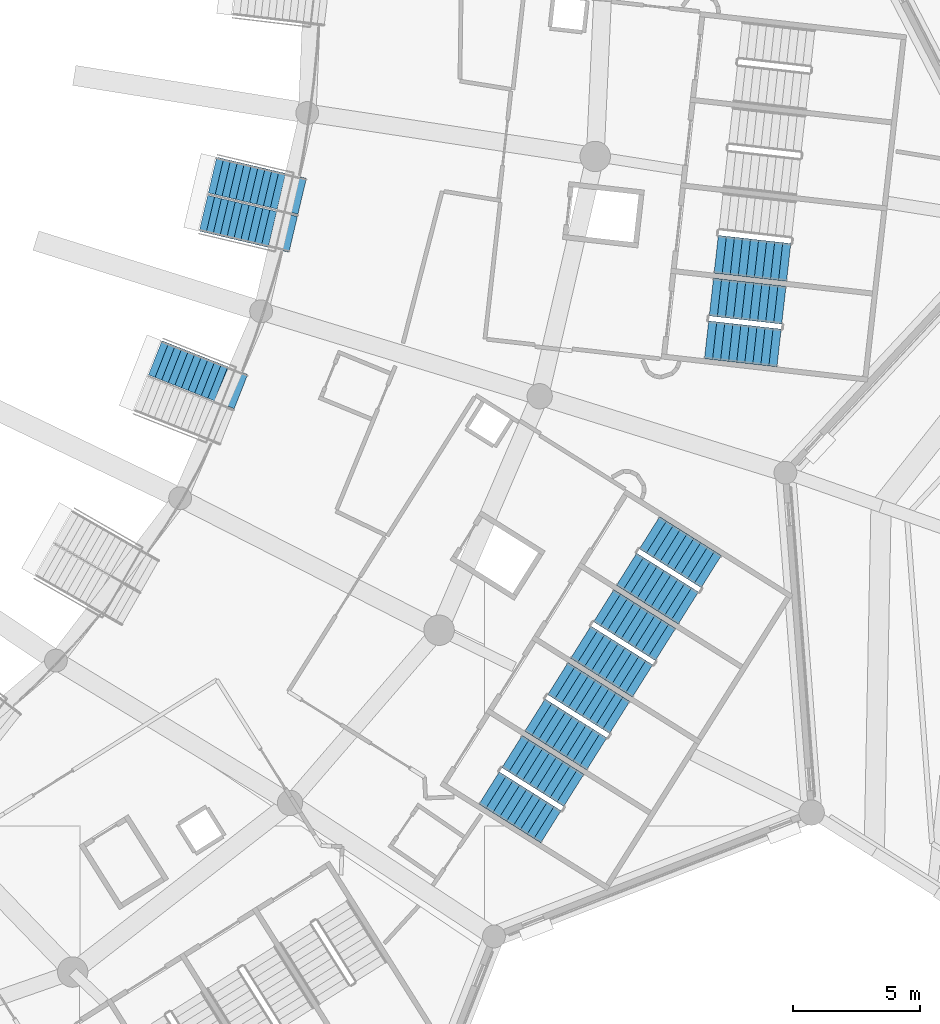
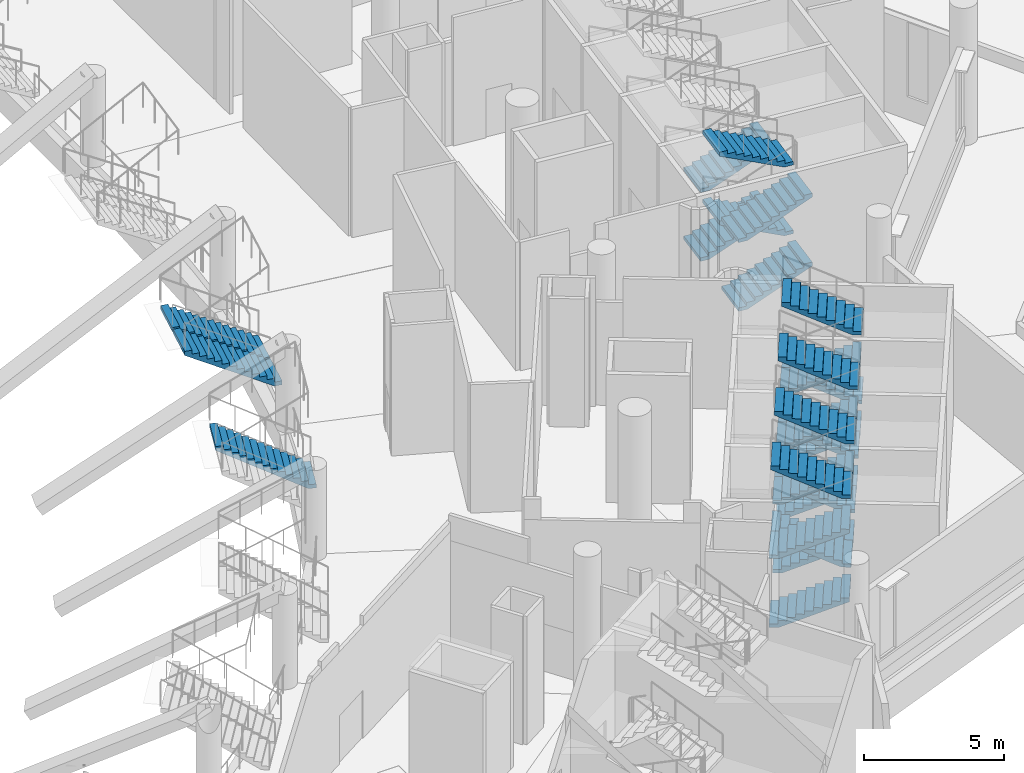
# One storey, part 89 of 173: 25 stair flights, 8 elements without a shape of their own.
"""IFC4 building model written with IfcOpenShell, lengths in metres."""

from ifc_helpers import new_model, si_unit, direction, frame, origin, place, context, subcontext, project, spatial, polyline, outline, extrude, material, type_object, element, aggregate, save


model = new_model("IFC4")

# Units and contexts
model_context = context("Model", 3, precision=1e-05, world=origin(), true_north=direction((0.0, 1.0)))
body_context = subcontext(model_context, "Body", "Model", "MODEL_VIEW")
ifc_project = project(units=[si_unit("LENGTHUNIT", "METRE"), si_unit("AREAUNIT", "SQUARE_METRE"), si_unit("VOLUMEUNIT", "CUBIC_METRE"), si_unit("PLANEANGLEUNIT", "RADIAN"), si_unit("MASSUNIT", "GRAM", prefix="KILO")], contexts=[model_context])

# Site, building, storey
site_placement = place(None, origin())
site = spatial("IfcSite", under=ifc_project, at=site_placement, CompositionType="ELEMENT")
building_placement = place(site_placement, origin())
building = spatial("IfcBuilding", under=site, at=building_placement, Name="Meseta Stadium", CompositionType="ELEMENT")
storey_placement = place(building_placement, frame((0.0, 0.0, 18.0)))
storey = spatial("IfcBuildingStorey", under=building, at=storey_placement, Name="L03", CompositionType="ELEMENT", Elevation=18.0)

# Stair, stair flights
ifc_material_1 = material(Name="Concrete C40/50", Category="concrete")
stair_type_1 = type_object("IfcStairType", Name="Exit stair 4 flights 150 mm risers", PredefinedType="HALF_TURN_STAIR", material=ifc_material_1)
stair_1_placement = place(storey_placement, origin())
stair_1 = element("IfcStair", 1, at=stair_1_placement, inside=storey, type_object=stair_type_1, Name="ST1 L03", PredefinedType="HALF_TURN_STAIR")
ifc_material_2 = material(Name="Concrete C40/50", Category="concrete")
stair_flight_type_1 = type_object("IfcStairFlightType", Name="Exit stair flight 150 mm risers, 4 per storey", PredefinedType="STRAIGHT", material=ifc_material_2)
stair_flight_1_placement = place(storey_placement, frame((88.759033203125, -60.805419921875, 0.0), z_axis=(0.0, 0.0, 1.0), x_axis=(0.993712210731, -0.11196446867, 0.0)))
stair_flight_1 = element("IfcStairFlight", 2, at=stair_flight_1_placement, type_object=stair_flight_type_1, Name="ST1 L03 flight 1", NumberOfRisers=10, NumberOfTreads=9, PredefinedType="STRAIGHT", RiserHeight=0.15, TreadLength=0.32, context=body_context, shape_type="SweptSolid", body=[
    extrude(outline(polyline([(0.0, 0.0), (0.0, 0.14990234375), (0.320068359375, 0.14990234375), (0.320068359375, 0.300048828125), (0.639892578125, 0.300048828125), (0.639892578125, 0.449951171875), (0.9599609375, 0.449951171875), (0.9599609375, 0.60009765625), (1.280029296875, 0.60009765625), (1.280029296875, 0.75), (1.60009765625, 0.75), (1.60009765625, 0.89990234375), (1.919921875, 0.89990234375), (1.919921875, 1.050048828125), (2.239990234375, 1.050048828125), (2.239990234375, 1.199951171875), (2.56005859375, 1.199951171875), (2.56005859375, 1.35009765625), (2.8798828125, 1.35009765625), (2.8798828125, 1.184326171875), (0.353271484375, 0.0), (0.0, 0.0)])), frame((0.0, 0.75, 0.0), z_axis=(0.0, -1.0, 0.0), x_axis=(1.0, 0.0, 0.0)), (0.0, 0.0, 1.0), 1.5),
])
stair_flight_2_placement = place(storey_placement, frame((91.811279296875, -59.4384765625, 1.5), z_axis=(0.0, 0.0, 1.0), x_axis=(-0.993712210731, 0.11196446867, 0.0)))
stair_flight_2 = element("IfcStairFlight", 3, at=stair_flight_2_placement, type_object=stair_flight_type_1, Name="ST1 L03 flight 2", NumberOfRisers=10, NumberOfTreads=9, PredefinedType="STRAIGHT", RiserHeight=0.15, TreadLength=0.32, context=body_context, shape_type="SweptSolid", body=[
    extrude(outline(polyline([(0.0, 0.0), (0.0, 0.14990234375), (0.320068359375, 0.14990234375), (0.320068359375, 0.300048828125), (0.639892578125, 0.300048828125), (0.639892578125, 0.449951171875), (0.9599609375, 0.449951171875), (0.9599609375, 0.60009765625), (1.280029296875, 0.60009765625), (1.280029296875, 0.75), (1.60009765625, 0.75), (1.60009765625, 0.89990234375), (1.919921875, 0.89990234375), (1.919921875, 1.050048828125), (2.239990234375, 1.050048828125), (2.239990234375, 1.199951171875), (2.56005859375, 1.199951171875), (2.56005859375, 1.35009765625), (2.8798828125, 1.35009765625), (2.8798828125, 1.184326171875), (0.353271484375, 0.0), (0.0, 0.0)])), frame((0.0, 0.75, 0.0), z_axis=(0.0, -1.0, 0.0), x_axis=(1.0, 0.0, 0.0)), (0.0, 0.0, 1.0), 1.5),
])
stair_flight_3_placement = place(storey_placement, frame((88.759033203125, -60.805419921875, 3.0), z_axis=(0.0, 0.0, 1.0), x_axis=(0.993712210731, -0.11196446867, 0.0)))
stair_flight_3 = element("IfcStairFlight", 4, at=stair_flight_3_placement, type_object=stair_flight_type_1, Name="ST1 L03 flight 3", NumberOfRisers=10, NumberOfTreads=9, PredefinedType="STRAIGHT", RiserHeight=0.15, TreadLength=0.32, context=body_context, shape_type="SweptSolid", body=[
    extrude(outline(polyline([(0.0, 0.0), (0.0, 0.14990234375), (0.320068359375, 0.14990234375), (0.320068359375, 0.300048828125), (0.639892578125, 0.300048828125), (0.639892578125, 0.449951171875), (0.9599609375, 0.449951171875), (0.9599609375, 0.60009765625), (1.280029296875, 0.60009765625), (1.280029296875, 0.75), (1.60009765625, 0.75), (1.60009765625, 0.89990234375), (1.919921875, 0.89990234375), (1.919921875, 1.050048828125), (2.239990234375, 1.050048828125), (2.239990234375, 1.199951171875), (2.56005859375, 1.199951171875), (2.56005859375, 1.35009765625), (2.8798828125, 1.35009765625), (2.8798828125, 1.184326171875), (0.353271484375, 0.0), (0.0, 0.0)])), frame((0.0, 0.75, 0.0), z_axis=(0.0, -1.0, 0.0), x_axis=(1.0, 0.0, 0.0)), (0.0, 0.0, 1.0), 1.5),
])
stair_flight_4_placement = place(storey_placement, frame((91.811279296875, -59.4384765625, 4.5), z_axis=(0.0, 0.0, 1.0), x_axis=(-0.993712210731, 0.11196446867, 0.0)))
stair_flight_4 = element("IfcStairFlight", 5, at=stair_flight_4_placement, type_object=stair_flight_type_1, Name="ST1 L03 flight 4", NumberOfRisers=10, NumberOfTreads=9, PredefinedType="STRAIGHT", RiserHeight=0.15, TreadLength=0.32, context=body_context, shape_type="SweptSolid", body=[
    extrude(outline(polyline([(0.0, 0.0), (0.0, 0.14990234375), (0.320068359375, 0.14990234375), (0.320068359375, 0.300048828125), (0.639892578125, 0.300048828125), (0.639892578125, 0.449951171875), (0.9599609375, 0.449951171875), (0.9599609375, 0.60009765625), (1.280029296875, 0.60009765625), (1.280029296875, 0.75), (1.60009765625, 0.75), (1.60009765625, 0.89990234375), (1.919921875, 0.89990234375), (1.919921875, 1.050048828125), (2.239990234375, 1.050048828125), (2.239990234375, 1.199951171875), (2.56005859375, 1.199951171875), (2.56005859375, 1.35009765625), (2.8798828125, 1.35009765625), (2.8798828125, 1.184326171875), (0.353271484375, 0.0), (0.0, 0.0)])), frame((0.0, 0.75, 0.0), z_axis=(0.0, -1.0, 0.0), x_axis=(1.0, 0.0, 0.0)), (0.0, 0.0, 1.0), 1.5),
])
aggregate(stair_1, [stair_flight_1, stair_flight_2, stair_flight_3, stair_flight_4])

stair_2_placement = place(storey_placement, origin())
stair_2 = element("IfcStair", 6, at=stair_2_placement, inside=storey, type_object=stair_type_1, Name="ST2 L03", PredefinedType="HALF_TURN_STAIR")
stair_flight_5_placement = place(storey_placement, frame((89.1396484375, -57.4267578125, 0.0), z_axis=(0.0, 0.0, 1.0), x_axis=(0.993712210731, -0.11196446867, 0.0)))
stair_flight_5 = element("IfcStairFlight", 7, at=stair_flight_5_placement, type_object=stair_flight_type_1, Name="ST2 L03 flight 1", NumberOfRisers=10, NumberOfTreads=9, PredefinedType="STRAIGHT", RiserHeight=0.15, TreadLength=0.32, context=body_context, shape_type="SweptSolid", body=[
    extrude(outline(polyline([(0.0, 0.0), (0.0, 0.14990234375), (0.320068359375, 0.14990234375), (0.320068359375, 0.300048828125), (0.639892578125, 0.300048828125), (0.639892578125, 0.449951171875), (0.9599609375, 0.449951171875), (0.9599609375, 0.60009765625), (1.280029296875, 0.60009765625), (1.280029296875, 0.75), (1.60009765625, 0.75), (1.60009765625, 0.89990234375), (1.919921875, 0.89990234375), (1.919921875, 1.050048828125), (2.239990234375, 1.050048828125), (2.239990234375, 1.199951171875), (2.56005859375, 1.199951171875), (2.56005859375, 1.35009765625), (2.8798828125, 1.35009765625), (2.8798828125, 1.184326171875), (0.353271484375, 0.0), (0.0, 0.0)])), frame((0.0, 0.75, 0.0), z_axis=(0.0, -1.0, 0.0), x_axis=(1.0, 0.0, 0.0)), (0.0, 0.0, 1.0), 1.5),
])
stair_flight_6_placement = place(storey_placement, frame((89.1396484375, -57.4267578125, 3.0), z_axis=(0.0, 0.0, 1.0), x_axis=(0.993712210731, -0.11196446867, 0.0)))
stair_flight_6 = element("IfcStairFlight", 8, at=stair_flight_6_placement, type_object=stair_flight_type_1, Name="ST2 L03 flight 3", NumberOfRisers=10, NumberOfTreads=9, PredefinedType="STRAIGHT", RiserHeight=0.15, TreadLength=0.32, context=body_context, shape_type="SweptSolid", body=[
    extrude(outline(polyline([(0.0, 0.0), (0.0, 0.14990234375), (0.320068359375, 0.14990234375), (0.320068359375, 0.300048828125), (0.639892578125, 0.300048828125), (0.639892578125, 0.449951171875), (0.9599609375, 0.449951171875), (0.9599609375, 0.60009765625), (1.280029296875, 0.60009765625), (1.280029296875, 0.75), (1.60009765625, 0.75), (1.60009765625, 0.89990234375), (1.919921875, 0.89990234375), (1.919921875, 1.050048828125), (2.239990234375, 1.050048828125), (2.239990234375, 1.199951171875), (2.56005859375, 1.199951171875), (2.56005859375, 1.35009765625), (2.8798828125, 1.35009765625), (2.8798828125, 1.184326171875), (0.353271484375, 0.0), (0.0, 0.0)])), frame((0.0, 0.75, 0.0), z_axis=(0.0, -1.0, 0.0), x_axis=(1.0, 0.0, 0.0)), (0.0, 0.0, 1.0), 1.5),
])
aggregate(stair_2, [stair_flight_5, stair_flight_6])

stair_3_placement = place(storey_placement, origin())
stair_3 = element("IfcStair", 9, at=stair_3_placement, inside=storey, type_object=stair_type_1, Name="ST109 L03", PredefinedType="HALF_TURN_STAIR")
stair_flight_7_placement = place(storey_placement, frame((80.175048828125, -78.500732421875, 0.0), z_axis=(0.0, 0.0, 1.0), x_axis=(0.846724200555, -0.532032074404, 0.0)))
stair_flight_7 = element("IfcStairFlight", 10, at=stair_flight_7_placement, type_object=stair_flight_type_1, Name="ST109 L03 flight 1", NumberOfRisers=10, NumberOfTreads=9, PredefinedType="STRAIGHT", RiserHeight=0.15, TreadLength=0.32, context=body_context, shape_type="SweptSolid", body=[
    extrude(outline(polyline([(0.0, 0.0), (0.0, 0.14990234375), (0.320068359375, 0.14990234375), (0.320068359375, 0.300048828125), (0.639892578125, 0.300048828125), (0.639892578125, 0.449951171875), (0.9599609375, 0.449951171875), (0.9599609375, 0.60009765625), (1.280029296875, 0.60009765625), (1.280029296875, 0.75), (1.60009765625, 0.75), (1.60009765625, 0.89990234375), (1.919921875, 0.89990234375), (1.919921875, 1.050048828125), (2.239990234375, 1.050048828125), (2.239990234375, 1.199951171875), (2.56005859375, 1.199951171875), (2.56005859375, 1.35009765625), (2.8798828125, 1.35009765625), (2.8798828125, 1.184326171875), (0.353271484375, 0.0), (0.0, 0.0)])), frame((0.0, 0.75, 0.0), z_axis=(0.0, -1.0, 0.0), x_axis=(1.0, 0.0, 0.0)), (0.0, 0.0, 1.0), 1.5),
])
stair_flight_8_placement = place(storey_placement, frame((83.51806640625, -78.593505859375, 1.5), z_axis=(0.0, 0.0, 1.0), x_axis=(-0.846724200555, 0.532032074404, 0.0)))
stair_flight_8 = element("IfcStairFlight", 11, at=stair_flight_8_placement, type_object=stair_flight_type_1, Name="ST109 L03 flight 2", NumberOfRisers=10, NumberOfTreads=9, PredefinedType="STRAIGHT", RiserHeight=0.15, TreadLength=0.32, context=body_context, shape_type="SweptSolid", body=[
    extrude(outline(polyline([(0.0, 0.0), (0.0, 0.14990234375), (0.320068359375, 0.14990234375), (0.320068359375, 0.300048828125), (0.639892578125, 0.300048828125), (0.639892578125, 0.449951171875), (0.9599609375, 0.449951171875), (0.9599609375, 0.60009765625), (1.280029296875, 0.60009765625), (1.280029296875, 0.75), (1.60009765625, 0.75), (1.60009765625, 0.89990234375), (1.919921875, 0.89990234375), (1.919921875, 1.050048828125), (2.239990234375, 1.050048828125), (2.239990234375, 1.199951171875), (2.56005859375, 1.199951171875), (2.56005859375, 1.35009765625), (2.8798828125, 1.35009765625), (2.8798828125, 1.184326171875), (0.353271484375, 0.0), (0.0, 0.0)])), frame((0.0, 0.75, 0.0), z_axis=(0.0, -1.0, 0.0), x_axis=(1.0, 0.0, 0.0)), (0.0, 0.0, 1.0), 1.5),
])
stair_flight_9_placement = place(storey_placement, frame((80.175048828125, -78.500732421875, 3.0), z_axis=(0.0, 0.0, 1.0), x_axis=(0.846724200555, -0.532032074404, 0.0)))
stair_flight_9 = element("IfcStairFlight", 12, at=stair_flight_9_placement, type_object=stair_flight_type_1, Name="ST109 L03 flight 3", NumberOfRisers=10, NumberOfTreads=9, PredefinedType="STRAIGHT", RiserHeight=0.15, TreadLength=0.32, context=body_context, shape_type="SweptSolid", body=[
    extrude(outline(polyline([(0.0, 0.0), (0.0, 0.14990234375), (0.320068359375, 0.14990234375), (0.320068359375, 0.300048828125), (0.639892578125, 0.300048828125), (0.639892578125, 0.449951171875), (0.9599609375, 0.449951171875), (0.9599609375, 0.60009765625), (1.280029296875, 0.60009765625), (1.280029296875, 0.75), (1.60009765625, 0.75), (1.60009765625, 0.89990234375), (1.919921875, 0.89990234375), (1.919921875, 1.050048828125), (2.239990234375, 1.050048828125), (2.239990234375, 1.199951171875), (2.56005859375, 1.199951171875), (2.56005859375, 1.35009765625), (2.8798828125, 1.35009765625), (2.8798828125, 1.184326171875), (0.353271484375, 0.0), (0.0, 0.0)])), frame((0.0, 0.75, 0.0), z_axis=(0.0, -1.0, 0.0), x_axis=(1.0, 0.0, 0.0)), (0.0, 0.0, 1.0), 1.5),
])
stair_flight_10_placement = place(storey_placement, frame((83.51806640625, -78.593505859375, 4.5), z_axis=(0.0, 0.0, 1.0), x_axis=(-0.846724200555, 0.532032074404, 0.0)))
stair_flight_10 = element("IfcStairFlight", 13, at=stair_flight_10_placement, type_object=stair_flight_type_1, Name="ST109 L03 flight 4", NumberOfRisers=10, NumberOfTreads=9, PredefinedType="STRAIGHT", RiserHeight=0.15, TreadLength=0.32, context=body_context, shape_type="SweptSolid", body=[
    extrude(outline(polyline([(0.0, 0.0), (0.0, 0.14990234375), (0.320068359375, 0.14990234375), (0.320068359375, 0.300048828125), (0.639892578125, 0.300048828125), (0.639892578125, 0.449951171875), (0.9599609375, 0.449951171875), (0.9599609375, 0.60009765625), (1.280029296875, 0.60009765625), (1.280029296875, 0.75), (1.60009765625, 0.75), (1.60009765625, 0.89990234375), (1.919921875, 0.89990234375), (1.919921875, 1.050048828125), (2.239990234375, 1.050048828125), (2.239990234375, 1.199951171875), (2.56005859375, 1.199951171875), (2.56005859375, 1.35009765625), (2.8798828125, 1.35009765625), (2.8798828125, 1.184326171875), (0.353271484375, 0.0), (0.0, 0.0)])), frame((0.0, 0.75, 0.0), z_axis=(0.0, -1.0, 0.0), x_axis=(1.0, 0.0, 0.0)), (0.0, 0.0, 1.0), 1.5),
])
aggregate(stair_3, [stair_flight_7, stair_flight_8, stair_flight_9, stair_flight_10])

stair_4_placement = place(storey_placement, origin())
stair_4 = element("IfcStair", 14, at=stair_4_placement, inside=storey, type_object=stair_type_1, Name="ST110 L03", PredefinedType="HALF_TURN_STAIR")
stair_flight_11_placement = place(storey_placement, frame((81.98388671875, -75.621826171875, 0.0), z_axis=(0.0, 0.0, 1.0), x_axis=(0.846724200555, -0.532032074404, 0.0)))
stair_flight_11 = element("IfcStairFlight", 15, at=stair_flight_11_placement, type_object=stair_flight_type_1, Name="ST110 L03 flight 1", NumberOfRisers=10, NumberOfTreads=9, PredefinedType="STRAIGHT", RiserHeight=0.15, TreadLength=0.32, context=body_context, shape_type="SweptSolid", body=[
    extrude(outline(polyline([(0.0, 0.0), (0.0, 0.14990234375), (0.320068359375, 0.14990234375), (0.320068359375, 0.300048828125), (0.639892578125, 0.300048828125), (0.639892578125, 0.449951171875), (0.9599609375, 0.449951171875), (0.9599609375, 0.60009765625), (1.280029296875, 0.60009765625), (1.280029296875, 0.75), (1.60009765625, 0.75), (1.60009765625, 0.89990234375), (1.919921875, 0.89990234375), (1.919921875, 1.050048828125), (2.239990234375, 1.050048828125), (2.239990234375, 1.199951171875), (2.56005859375, 1.199951171875), (2.56005859375, 1.35009765625), (2.8798828125, 1.35009765625), (2.8798828125, 1.184326171875), (0.353271484375, 0.0), (0.0, 0.0)])), frame((0.0, 0.75, 0.0), z_axis=(0.0, -1.0, 0.0), x_axis=(1.0, 0.0, 0.0)), (0.0, 0.0, 1.0), 1.5),
])
stair_flight_12_placement = place(storey_placement, frame((85.326904296875, -75.714599609375, 1.5), z_axis=(0.0, 0.0, 1.0), x_axis=(-0.846724200555, 0.532032074404, 0.0)))
stair_flight_12 = element("IfcStairFlight", 16, at=stair_flight_12_placement, type_object=stair_flight_type_1, Name="ST110 L03 flight 2", NumberOfRisers=10, NumberOfTreads=9, PredefinedType="STRAIGHT", RiserHeight=0.15, TreadLength=0.32, context=body_context, shape_type="SweptSolid", body=[
    extrude(outline(polyline([(0.0, 0.0), (0.0, 0.14990234375), (0.320068359375, 0.14990234375), (0.320068359375, 0.300048828125), (0.639892578125, 0.300048828125), (0.639892578125, 0.449951171875), (0.9599609375, 0.449951171875), (0.9599609375, 0.60009765625), (1.280029296875, 0.60009765625), (1.280029296875, 0.75), (1.60009765625, 0.75), (1.60009765625, 0.89990234375), (1.919921875, 0.89990234375), (1.919921875, 1.050048828125), (2.239990234375, 1.050048828125), (2.239990234375, 1.199951171875), (2.56005859375, 1.199951171875), (2.56005859375, 1.35009765625), (2.8798828125, 1.35009765625), (2.8798828125, 1.184326171875), (0.353271484375, 0.0), (0.0, 0.0)])), frame((0.0, 0.75, 0.0), z_axis=(0.0, -1.0, 0.0), x_axis=(1.0, 0.0, 0.0)), (0.0, 0.0, 1.0), 1.5),
])
stair_flight_13_placement = place(storey_placement, frame((81.98388671875, -75.621826171875, 3.0), z_axis=(0.0, 0.0, 1.0), x_axis=(0.846724200555, -0.532032074404, 0.0)))
stair_flight_13 = element("IfcStairFlight", 17, at=stair_flight_13_placement, type_object=stair_flight_type_1, Name="ST110 L03 flight 3", NumberOfRisers=10, NumberOfTreads=9, PredefinedType="STRAIGHT", RiserHeight=0.15, TreadLength=0.32, context=body_context, shape_type="SweptSolid", body=[
    extrude(outline(polyline([(0.0, 0.0), (0.0, 0.14990234375), (0.320068359375, 0.14990234375), (0.320068359375, 0.300048828125), (0.639892578125, 0.300048828125), (0.639892578125, 0.449951171875), (0.9599609375, 0.449951171875), (0.9599609375, 0.60009765625), (1.280029296875, 0.60009765625), (1.280029296875, 0.75), (1.60009765625, 0.75), (1.60009765625, 0.89990234375), (1.919921875, 0.89990234375), (1.919921875, 1.050048828125), (2.239990234375, 1.050048828125), (2.239990234375, 1.199951171875), (2.56005859375, 1.199951171875), (2.56005859375, 1.35009765625), (2.8798828125, 1.35009765625), (2.8798828125, 1.184326171875), (0.353271484375, 0.0), (0.0, 0.0)])), frame((0.0, 0.75, 0.0), z_axis=(0.0, -1.0, 0.0), x_axis=(1.0, 0.0, 0.0)), (0.0, 0.0, 1.0), 1.5),
])
stair_flight_14_placement = place(storey_placement, frame((85.326904296875, -75.714599609375, 4.5), z_axis=(0.0, 0.0, 1.0), x_axis=(-0.846724200555, 0.532032074404, 0.0)))
stair_flight_14 = element("IfcStairFlight", 18, at=stair_flight_14_placement, type_object=stair_flight_type_1, Name="ST110 L03 flight 4", NumberOfRisers=10, NumberOfTreads=9, PredefinedType="STRAIGHT", RiserHeight=0.15, TreadLength=0.32, context=body_context, shape_type="SweptSolid", body=[
    extrude(outline(polyline([(0.0, 0.0), (0.0, 0.14990234375), (0.320068359375, 0.14990234375), (0.320068359375, 0.300048828125), (0.639892578125, 0.300048828125), (0.639892578125, 0.449951171875), (0.9599609375, 0.449951171875), (0.9599609375, 0.60009765625), (1.280029296875, 0.60009765625), (1.280029296875, 0.75), (1.60009765625, 0.75), (1.60009765625, 0.89990234375), (1.919921875, 0.89990234375), (1.919921875, 1.050048828125), (2.239990234375, 1.050048828125), (2.239990234375, 1.199951171875), (2.56005859375, 1.199951171875), (2.56005859375, 1.35009765625), (2.8798828125, 1.35009765625), (2.8798828125, 1.184326171875), (0.353271484375, 0.0), (0.0, 0.0)])), frame((0.0, 0.75, 0.0), z_axis=(0.0, -1.0, 0.0), x_axis=(1.0, 0.0, 0.0)), (0.0, 0.0, 1.0), 1.5),
])
aggregate(stair_4, [stair_flight_11, stair_flight_12, stair_flight_13, stair_flight_14])

stair_5_placement = place(storey_placement, origin())
stair_5 = element("IfcStair", 19, at=stair_5_placement, inside=storey, type_object=stair_type_1, Name="ST111 L03", PredefinedType="HALF_TURN_STAIR")
stair_flight_15_placement = place(storey_placement, frame((83.792724609375, -72.742919921875, 0.0), z_axis=(0.0, 0.0, 1.0), x_axis=(0.846724200555, -0.532032074404, 0.0)))
stair_flight_15 = element("IfcStairFlight", 20, at=stair_flight_15_placement, type_object=stair_flight_type_1, Name="ST111 L03 flight 1", NumberOfRisers=10, NumberOfTreads=9, PredefinedType="STRAIGHT", RiserHeight=0.15, TreadLength=0.32, context=body_context, shape_type="SweptSolid", body=[
    extrude(outline(polyline([(0.0, 0.0), (0.0, 0.14990234375), (0.320068359375, 0.14990234375), (0.320068359375, 0.300048828125), (0.639892578125, 0.300048828125), (0.639892578125, 0.449951171875), (0.9599609375, 0.449951171875), (0.9599609375, 0.60009765625), (1.280029296875, 0.60009765625), (1.280029296875, 0.75), (1.60009765625, 0.75), (1.60009765625, 0.89990234375), (1.919921875, 0.89990234375), (1.919921875, 1.050048828125), (2.239990234375, 1.050048828125), (2.239990234375, 1.199951171875), (2.56005859375, 1.199951171875), (2.56005859375, 1.35009765625), (2.8798828125, 1.35009765625), (2.8798828125, 1.184326171875), (0.353271484375, 0.0), (0.0, 0.0)])), frame((0.0, 0.75, 0.0), z_axis=(0.0, -1.0, 0.0), x_axis=(1.0, 0.0, 0.0)), (0.0, 0.0, 1.0), 1.5),
])
stair_flight_16_placement = place(storey_placement, frame((87.1357421875, -72.835693359375, 1.5), z_axis=(0.0, 0.0, 1.0), x_axis=(-0.846724200555, 0.532032074404, 0.0)))
stair_flight_16 = element("IfcStairFlight", 21, at=stair_flight_16_placement, type_object=stair_flight_type_1, Name="ST111 L03 flight 2", NumberOfRisers=10, NumberOfTreads=9, PredefinedType="STRAIGHT", RiserHeight=0.15, TreadLength=0.32, context=body_context, shape_type="SweptSolid", body=[
    extrude(outline(polyline([(0.0, 0.0), (0.0, 0.14990234375), (0.320068359375, 0.14990234375), (0.320068359375, 0.300048828125), (0.639892578125, 0.300048828125), (0.639892578125, 0.449951171875), (0.9599609375, 0.449951171875), (0.9599609375, 0.60009765625), (1.280029296875, 0.60009765625), (1.280029296875, 0.75), (1.60009765625, 0.75), (1.60009765625, 0.89990234375), (1.919921875, 0.89990234375), (1.919921875, 1.050048828125), (2.239990234375, 1.050048828125), (2.239990234375, 1.199951171875), (2.56005859375, 1.199951171875), (2.56005859375, 1.35009765625), (2.8798828125, 1.35009765625), (2.8798828125, 1.184326171875), (0.353271484375, 0.0), (0.0, 0.0)])), frame((0.0, 0.75, 0.0), z_axis=(0.0, -1.0, 0.0), x_axis=(1.0, 0.0, 0.0)), (0.0, 0.0, 1.0), 1.5),
])
stair_flight_17_placement = place(storey_placement, frame((83.792724609375, -72.742919921875, 3.0), z_axis=(0.0, 0.0, 1.0), x_axis=(0.846724200555, -0.532032074404, 0.0)))
stair_flight_17 = element("IfcStairFlight", 22, at=stair_flight_17_placement, type_object=stair_flight_type_1, Name="ST111 L03 flight 3", NumberOfRisers=10, NumberOfTreads=9, PredefinedType="STRAIGHT", RiserHeight=0.15, TreadLength=0.32, context=body_context, shape_type="SweptSolid", body=[
    extrude(outline(polyline([(0.0, 0.0), (0.0, 0.14990234375), (0.320068359375, 0.14990234375), (0.320068359375, 0.300048828125), (0.639892578125, 0.300048828125), (0.639892578125, 0.449951171875), (0.9599609375, 0.449951171875), (0.9599609375, 0.60009765625), (1.280029296875, 0.60009765625), (1.280029296875, 0.75), (1.60009765625, 0.75), (1.60009765625, 0.89990234375), (1.919921875, 0.89990234375), (1.919921875, 1.050048828125), (2.239990234375, 1.050048828125), (2.239990234375, 1.199951171875), (2.56005859375, 1.199951171875), (2.56005859375, 1.35009765625), (2.8798828125, 1.35009765625), (2.8798828125, 1.184326171875), (0.353271484375, 0.0), (0.0, 0.0)])), frame((0.0, 0.75, 0.0), z_axis=(0.0, -1.0, 0.0), x_axis=(1.0, 0.0, 0.0)), (0.0, 0.0, 1.0), 1.5),
])
stair_flight_18_placement = place(storey_placement, frame((87.1357421875, -72.835693359375, 4.5), z_axis=(0.0, 0.0, 1.0), x_axis=(-0.846724200555, 0.532032074404, 0.0)))
stair_flight_18 = element("IfcStairFlight", 23, at=stair_flight_18_placement, type_object=stair_flight_type_1, Name="ST111 L03 flight 4", NumberOfRisers=10, NumberOfTreads=9, PredefinedType="STRAIGHT", RiserHeight=0.15, TreadLength=0.32, context=body_context, shape_type="SweptSolid", body=[
    extrude(outline(polyline([(0.0, 0.0), (0.0, 0.14990234375), (0.320068359375, 0.14990234375), (0.320068359375, 0.300048828125), (0.639892578125, 0.300048828125), (0.639892578125, 0.449951171875), (0.9599609375, 0.449951171875), (0.9599609375, 0.60009765625), (1.280029296875, 0.60009765625), (1.280029296875, 0.75), (1.60009765625, 0.75), (1.60009765625, 0.89990234375), (1.919921875, 0.89990234375), (1.919921875, 1.050048828125), (2.239990234375, 1.050048828125), (2.239990234375, 1.199951171875), (2.56005859375, 1.199951171875), (2.56005859375, 1.35009765625), (2.8798828125, 1.35009765625), (2.8798828125, 1.184326171875), (0.353271484375, 0.0), (0.0, 0.0)])), frame((0.0, 0.75, 0.0), z_axis=(0.0, -1.0, 0.0), x_axis=(1.0, 0.0, 0.0)), (0.0, 0.0, 1.0), 1.5),
])
aggregate(stair_5, [stair_flight_15, stair_flight_16, stair_flight_17, stair_flight_18])

stair_6_placement = place(storey_placement, origin())
stair_6 = element("IfcStair", 24, at=stair_6_placement, inside=storey, type_object=stair_type_1, Name="ST112 L03", PredefinedType="HALF_TURN_STAIR")
stair_flight_19_placement = place(storey_placement, frame((85.6015625, -69.864013671875, 0.0), z_axis=(0.0, 0.0, 1.0), x_axis=(0.846724200555, -0.532032074404, 0.0)))
stair_flight_19 = element("IfcStairFlight", 25, at=stair_flight_19_placement, type_object=stair_flight_type_1, Name="ST112 L03 flight 1", NumberOfRisers=10, NumberOfTreads=9, PredefinedType="STRAIGHT", RiserHeight=0.15, TreadLength=0.32, context=body_context, shape_type="SweptSolid", body=[
    extrude(outline(polyline([(0.0, 0.0), (0.0, 0.14990234375), (0.320068359375, 0.14990234375), (0.320068359375, 0.300048828125), (0.639892578125, 0.300048828125), (0.639892578125, 0.449951171875), (0.9599609375, 0.449951171875), (0.9599609375, 0.60009765625), (1.280029296875, 0.60009765625), (1.280029296875, 0.75), (1.60009765625, 0.75), (1.60009765625, 0.89990234375), (1.919921875, 0.89990234375), (1.919921875, 1.050048828125), (2.239990234375, 1.050048828125), (2.239990234375, 1.199951171875), (2.56005859375, 1.199951171875), (2.56005859375, 1.35009765625), (2.8798828125, 1.35009765625), (2.8798828125, 1.184326171875), (0.353271484375, 0.0), (0.0, 0.0)])), frame((0.0, 0.75, 0.0), z_axis=(0.0, -1.0, 0.0), x_axis=(1.0, 0.0, 0.0)), (0.0, 0.0, 1.0), 1.5),
])
stair_flight_20_placement = place(storey_placement, frame((88.944580078125, -69.956787109375, 1.5), z_axis=(0.0, 0.0, 1.0), x_axis=(-0.846724200555, 0.532032074404, 0.0)))
stair_flight_20 = element("IfcStairFlight", 26, at=stair_flight_20_placement, type_object=stair_flight_type_1, Name="ST112 L03 flight 2", NumberOfRisers=10, NumberOfTreads=9, PredefinedType="STRAIGHT", RiserHeight=0.15, TreadLength=0.32, context=body_context, shape_type="SweptSolid", body=[
    extrude(outline(polyline([(0.0, 0.0), (0.0, 0.14990234375), (0.320068359375, 0.14990234375), (0.320068359375, 0.300048828125), (0.639892578125, 0.300048828125), (0.639892578125, 0.449951171875), (0.9599609375, 0.449951171875), (0.9599609375, 0.60009765625), (1.280029296875, 0.60009765625), (1.280029296875, 0.75), (1.60009765625, 0.75), (1.60009765625, 0.89990234375), (1.919921875, 0.89990234375), (1.919921875, 1.050048828125), (2.239990234375, 1.050048828125), (2.239990234375, 1.199951171875), (2.56005859375, 1.199951171875), (2.56005859375, 1.35009765625), (2.8798828125, 1.35009765625), (2.8798828125, 1.184326171875), (0.353271484375, 0.0), (0.0, 0.0)])), frame((0.0, 0.75, 0.0), z_axis=(0.0, -1.0, 0.0), x_axis=(1.0, 0.0, 0.0)), (0.0, 0.0, 1.0), 1.5),
])
stair_flight_21_placement = place(storey_placement, frame((85.6015625, -69.864013671875, 3.0), z_axis=(0.0, 0.0, 1.0), x_axis=(0.846724200555, -0.532032074404, 0.0)))
stair_flight_21 = element("IfcStairFlight", 27, at=stair_flight_21_placement, type_object=stair_flight_type_1, Name="ST112 L03 flight 3", NumberOfRisers=10, NumberOfTreads=9, PredefinedType="STRAIGHT", RiserHeight=0.15, TreadLength=0.32, context=body_context, shape_type="SweptSolid", body=[
    extrude(outline(polyline([(0.0, 0.0), (0.0, 0.14990234375), (0.320068359375, 0.14990234375), (0.320068359375, 0.300048828125), (0.639892578125, 0.300048828125), (0.639892578125, 0.449951171875), (0.9599609375, 0.449951171875), (0.9599609375, 0.60009765625), (1.280029296875, 0.60009765625), (1.280029296875, 0.75), (1.60009765625, 0.75), (1.60009765625, 0.89990234375), (1.919921875, 0.89990234375), (1.919921875, 1.050048828125), (2.239990234375, 1.050048828125), (2.239990234375, 1.199951171875), (2.56005859375, 1.199951171875), (2.56005859375, 1.35009765625), (2.8798828125, 1.35009765625), (2.8798828125, 1.184326171875), (0.353271484375, 0.0), (0.0, 0.0)])), frame((0.0, 0.75, 0.0), z_axis=(0.0, -1.0, 0.0), x_axis=(1.0, 0.0, 0.0)), (0.0, 0.0, 1.0), 1.5),
])
stair_flight_22_placement = place(storey_placement, frame((88.944580078125, -69.956787109375, 4.5), z_axis=(0.0, 0.0, 1.0), x_axis=(-0.846724200555, 0.532032074404, 0.0)))
stair_flight_22 = element("IfcStairFlight", 28, at=stair_flight_22_placement, type_object=stair_flight_type_1, Name="ST112 L03 flight 4", NumberOfRisers=10, NumberOfTreads=9, PredefinedType="STRAIGHT", RiserHeight=0.15, TreadLength=0.32, context=body_context, shape_type="SweptSolid", body=[
    extrude(outline(polyline([(0.0, 0.0), (0.0, 0.14990234375), (0.320068359375, 0.14990234375), (0.320068359375, 0.300048828125), (0.639892578125, 0.300048828125), (0.639892578125, 0.449951171875), (0.9599609375, 0.449951171875), (0.9599609375, 0.60009765625), (1.280029296875, 0.60009765625), (1.280029296875, 0.75), (1.60009765625, 0.75), (1.60009765625, 0.89990234375), (1.919921875, 0.89990234375), (1.919921875, 1.050048828125), (2.239990234375, 1.050048828125), (2.239990234375, 1.199951171875), (2.56005859375, 1.199951171875), (2.56005859375, 1.35009765625), (2.8798828125, 1.35009765625), (2.8798828125, 1.184326171875), (0.353271484375, 0.0), (0.0, 0.0)])), frame((0.0, 0.75, 0.0), z_axis=(0.0, -1.0, 0.0), x_axis=(1.0, 0.0, 0.0)), (0.0, 0.0, 1.0), 1.5),
])
aggregate(stair_6, [stair_flight_19, stair_flight_20, stair_flight_21, stair_flight_22])

# Stair, stair flight
ifc_material_3 = material(Name="Concrete C40/50", Category="concrete")
stair_type_2 = type_object("IfcStairType", Name="Vomitory stair 3000", PredefinedType="STRAIGHT_RUN_STAIR", material=ifc_material_3)
stair_7_placement = place(storey_placement, origin())
stair_7 = element("IfcStair", 29, at=stair_7_placement, inside=storey, type_object=stair_type_2, Name="Vomitory V-upper-55", PredefinedType="STRAIGHT_RUN_STAIR")
ifc_material_4 = material(Name="Concrete C40/50", Category="concrete")
stair_flight_type_2 = type_object("IfcStairFlightType", Name="Vomitory stair flight 1450", PredefinedType="STRAIGHT", material=ifc_material_4)
stair_flight_23_placement = place(storey_placement, frame((70.37451171875, -62.850830078125, 0.0), z_axis=(0.0, 0.0, 1.0), x_axis=(-0.930263326339, 0.366892550576, 0.0)))
stair_flight_23 = element("IfcStairFlight", 30, at=stair_flight_23_placement, type_object=stair_flight_type_2, Name="Vomitory V-upper-55 flight 2", NumberOfRisers=14, NumberOfTreads=13, PredefinedType="STRAIGHT", RiserHeight=0.167897, TreadLength=0.28, context=body_context, shape_type="SweptSolid", body=[
    extrude(outline(polyline([(0.0, 0.0), (0.0, 0.16796875), (0.280029296875, 0.16796875), (0.280029296875, 0.335693359375), (0.56005859375, 0.335693359375), (0.56005859375, 0.503662109375), (0.840087890625, 0.503662109375), (0.840087890625, 0.671630859375), (1.1201171875, 0.671630859375), (1.1201171875, 0.839599609375), (1.39990234375, 0.839599609375), (1.39990234375, 1.00732421875), (1.679931640625, 1.00732421875), (1.679931640625, 1.17529296875), (1.9599609375, 1.17529296875), (1.9599609375, 1.34326171875), (2.239990234375, 1.34326171875), (2.239990234375, 1.510986328125), (2.52001953125, 1.510986328125), (2.52001953125, 1.678955078125), (2.800048828125, 1.678955078125), (2.800048828125, 1.846923828125), (3.080078125, 1.846923828125), (3.080078125, 2.0146484375), (3.360107421875, 2.0146484375), (3.360107421875, 2.1826171875), (3.639892578125, 2.1826171875), (3.639892578125, 2.0078125), (0.29150390625, 0.0), (0.0, 0.0)])), frame((0.0, 0.72509765625, 0.0), z_axis=(0.0, -1.0, 0.0), x_axis=(1.0, 0.0, 0.0)), (0.0, 0.0, 1.0), 1.449951171875),
])
aggregate(stair_7, [stair_flight_23])

# Stair, stair flights
stair_8_placement = place(storey_placement, origin())
stair_8 = element("IfcStair", 31, at=stair_8_placement, inside=storey, type_object=stair_type_2, Name="Vomitory V-upper-56", PredefinedType="STRAIGHT_RUN_STAIR")
stair_flight_24_placement = place(storey_placement, frame((72.436279296875, -56.642578125, 0.0), z_axis=(0.0, 0.0, 1.0), x_axis=(-0.973256309483, 0.229721910255, 0.0)))
stair_flight_24 = element("IfcStairFlight", 32, at=stair_flight_24_placement, type_object=stair_flight_type_2, Name="Vomitory V-upper-56 flight 1", NumberOfRisers=14, NumberOfTreads=13, PredefinedType="STRAIGHT", RiserHeight=0.167905, TreadLength=0.28, context=body_context, shape_type="SweptSolid", body=[
    extrude(outline(polyline([(0.0, 0.0), (0.0, 0.16796875), (0.280029296875, 0.16796875), (0.280029296875, 0.335693359375), (0.56005859375, 0.335693359375), (0.56005859375, 0.503662109375), (0.840087890625, 0.503662109375), (0.840087890625, 0.671630859375), (1.1201171875, 0.671630859375), (1.1201171875, 0.839599609375), (1.39990234375, 0.839599609375), (1.39990234375, 1.00732421875), (1.679931640625, 1.00732421875), (1.679931640625, 1.17529296875), (1.9599609375, 1.17529296875), (1.9599609375, 1.34326171875), (2.239990234375, 1.34326171875), (2.239990234375, 1.51123046875), (2.52001953125, 1.51123046875), (2.52001953125, 1.678955078125), (2.800048828125, 1.678955078125), (2.800048828125, 1.846923828125), (3.080078125, 1.846923828125), (3.080078125, 2.014892578125), (3.360107421875, 2.014892578125), (3.360107421875, 2.182861328125), (3.639892578125, 2.182861328125), (3.639892578125, 2.008056640625), (0.29150390625, 0.0), (0.0, 0.0)])), frame((0.0, 0.72509765625, 0.0), z_axis=(0.0, -1.0, 0.0), x_axis=(1.0, 0.0, 0.0)), (0.0, 0.0, 1.0), 1.449951171875),
])
stair_flight_25_placement = place(storey_placement, frame((72.79248046875, -55.134033203125, 0.0), z_axis=(0.0, 0.0, 1.0), x_axis=(-0.973256309483, 0.229721910255, 0.0)))
stair_flight_25 = element("IfcStairFlight", 33, at=stair_flight_25_placement, type_object=stair_flight_type_2, Name="Vomitory V-upper-56 flight 2", NumberOfRisers=14, NumberOfTreads=13, PredefinedType="STRAIGHT", RiserHeight=0.167905, TreadLength=0.28, context=body_context, shape_type="SweptSolid", body=[
    extrude(outline(polyline([(0.0, 0.0), (0.0, 0.16796875), (0.280029296875, 0.16796875), (0.280029296875, 0.335693359375), (0.56005859375, 0.335693359375), (0.56005859375, 0.503662109375), (0.840087890625, 0.503662109375), (0.840087890625, 0.671630859375), (1.1201171875, 0.671630859375), (1.1201171875, 0.839599609375), (1.39990234375, 0.839599609375), (1.39990234375, 1.00732421875), (1.679931640625, 1.00732421875), (1.679931640625, 1.17529296875), (1.9599609375, 1.17529296875), (1.9599609375, 1.34326171875), (2.239990234375, 1.34326171875), (2.239990234375, 1.51123046875), (2.52001953125, 1.51123046875), (2.52001953125, 1.678955078125), (2.800048828125, 1.678955078125), (2.800048828125, 1.846923828125), (3.080078125, 1.846923828125), (3.080078125, 2.014892578125), (3.360107421875, 2.014892578125), (3.360107421875, 2.182861328125), (3.639892578125, 2.182861328125), (3.639892578125, 2.008056640625), (0.29150390625, 0.0), (0.0, 0.0)])), frame((0.0, 0.72509765625, 0.0), z_axis=(0.0, -1.0, 0.0), x_axis=(1.0, 0.0, 0.0)), (0.0, 0.0, 1.0), 1.449951171875),
])
aggregate(stair_8, [stair_flight_24, stair_flight_25])

save(model, "model.ifc")
